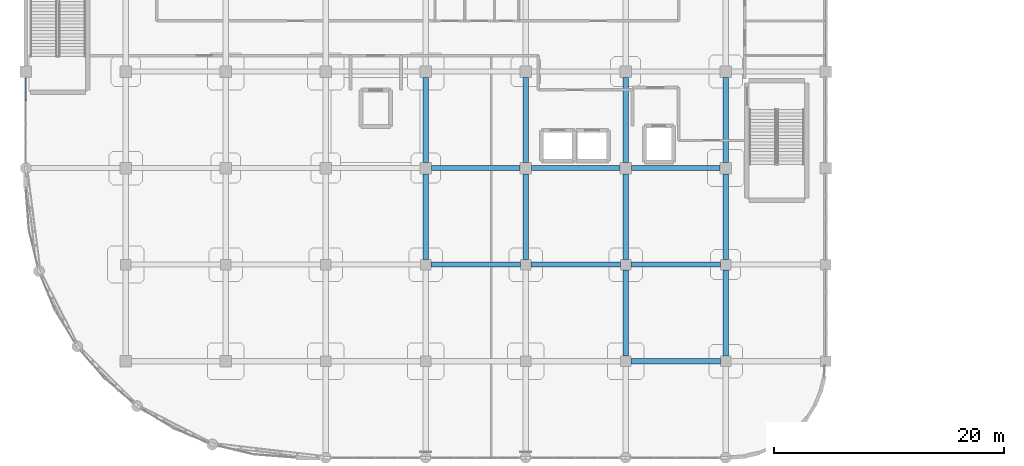
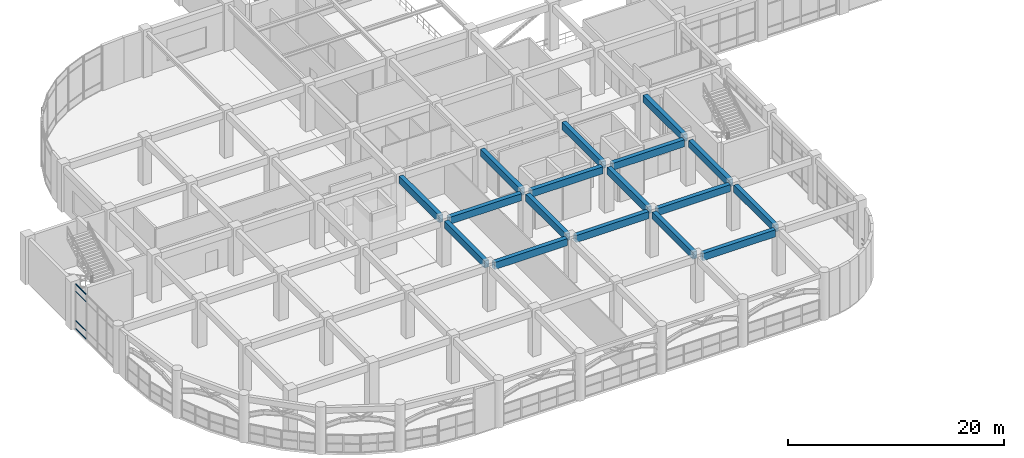
# One storey, part 16 of 114: 17 beams, 4 members, 1 element without a shape of its own.
"""IFC4 building model written with IfcOpenShell, lengths in metres."""

from ifc_helpers import new_model, si_unit, derived_unit, direction, frame, origin, origin_2d, place, context, subcontext, project, spatial, rectangle, hollow_rectangle, extrude, material, layer, layer_set, material_profile, profile_set, type_object, element, aggregate, save


model = new_model("IFC4")

# Units and contexts
model_context = context("Model", 3, precision=1e-05, world=origin(), true_north=direction((0.0, 1.0)))
body_context = subcontext(model_context, "Body", "Model", "MODEL_VIEW")
ifc_project = project(units=[si_unit("LENGTHUNIT", "METRE"), si_unit("AREAUNIT", "SQUARE_METRE"), si_unit("VOLUMEUNIT", "CUBIC_METRE"), si_unit("PLANEANGLEUNIT", "RADIAN"), si_unit("MASSUNIT", "GRAM", prefix="KILO"), derived_unit("THERMALTRANSMITTANCEUNIT", [(si_unit("MASSUNIT", "GRAM", prefix="KILO"), 1), (si_unit("TIMEUNIT", "SECOND"), -3), (si_unit("THERMODYNAMICTEMPERATUREUNIT", "KELVIN"), -1)])], contexts=[model_context])

# Site, building, storey
site_placement = place(None, origin())
site = spatial("IfcSite", under=ifc_project, at=site_placement, CompositionType="ELEMENT")
building_placement = place(site_placement, origin())
building = spatial("IfcBuilding", under=site, at=building_placement, Name="Qinzheling Arcade Emporium", CompositionType="ELEMENT")
storey_placement = place(building_placement, frame((0.0, 0.0, 6.0)))
storey = spatial("IfcBuildingStorey", under=building, at=storey_placement, Name="L02", CompositionType="ELEMENT", Elevation=6.0)

# Curtain wall, members
ifc_material_1 = material(Name="Anodised aluminium and solar-control double glazing", Category="aluminium")
ifc_layer = layer(ifc_material_1, 0.159912109375, Name="Anodised aluminium and solar-control double glazing", Category="aluminium")
ifc_layer_set = layer_set([ifc_layer], Name="Anodised aluminium and solar-control double glazing")
curtain_wall_type = type_object("IfcCurtainWallType", Name="Arcade Portal Glazed Curtain Wall", PredefinedType="NOTDEFINED", material=ifc_layer_set)
curtain_wall_placement = place(storey_placement, origin())
curtain_wall = element("IfcCurtainWall", 1, at=curtain_wall_placement, inside=storey, type_object=curtain_wall_type, Name="Curtain Wall CW-L02-084", PredefinedType="NOTDEFINED")
ifc_material_2 = material(Name="Anodised aluminium 6063-T6", Category="aluminium")
ifc_material_profile_1 = material_profile(ifc_material_2, hollow_rectangle(XDim=0.06005859375, YDim=0.1201171875, WallThickness=0.00390625, InnerFilletRadius=0.00390625, OuterFilletRadius=0.008056640625, at=origin_2d()), Name="RHS 120x60x4", Category="aluminium")
ifc_profile_set_1 = profile_set([ifc_material_profile_1], Name="Anodised aluminium 6063-T6")
member_type = type_object("IfcMemberType", Name="Curtain Wall Transom RHS120x60", PredefinedType="USERDEFINED", material=ifc_profile_set_1)
member_1_placement = place(storey_placement, frame((0.0, 31.0791015625, 0.030029296875), z_axis=(0.0, 1.0, 0.0), x_axis=(-1.0, 0.0, 0.0)))
member_1 = element("IfcMember", 2, at=member_1_placement, type_object=member_type, Name="CW05 transom 2.1", ObjectType="TRANSOM", PredefinedType="USERDEFINED", context=body_context, shape_type="SweptSolid", body=[
    extrude(hollow_rectangle(XDim=0.06005859375, YDim=0.1201171875, WallThickness=0.00390625, InnerFilletRadius=0.00390625, OuterFilletRadius=0.008056640625, at=origin_2d()), origin(), (0.0, 0.0, 1.0), 1.958984375),
])
member_2_placement = place(storey_placement, frame((0.0, 31.0791015625, 0.949951171875), z_axis=(0.0, 1.0, 0.0), x_axis=(-1.0, 0.0, 0.0)))
member_2 = element("IfcMember", 3, at=member_2_placement, type_object=member_type, Name="CW05 transom 2.2", ObjectType="TRANSOM", PredefinedType="USERDEFINED", context=body_context, shape_type="SweptSolid", body=[
    extrude(hollow_rectangle(XDim=0.06005859375, YDim=0.1201171875, WallThickness=0.00390625, InnerFilletRadius=0.00390625, OuterFilletRadius=0.008056640625, at=origin_2d()), origin(), (0.0, 0.0, 1.0), 1.958984375),
])
member_3_placement = place(storey_placement, frame((0.0, 31.0791015625, 4.239990234375), z_axis=(0.0, 1.0, 0.0), x_axis=(-1.0, 0.0, 0.0)))
member_3 = element("IfcMember", 4, at=member_3_placement, type_object=member_type, Name="CW05 transom 2.3", ObjectType="TRANSOM", PredefinedType="USERDEFINED", context=body_context, shape_type="SweptSolid", body=[
    extrude(hollow_rectangle(XDim=0.06005859375, YDim=0.1201171875, WallThickness=0.00390625, InnerFilletRadius=0.00390625, OuterFilletRadius=0.008056640625, at=origin_2d()), origin(), (0.0, 0.0, 1.0), 1.958984375),
])
member_4_placement = place(storey_placement, frame((0.0, 31.0791015625, 5.06005859375), z_axis=(0.0, 1.0, 0.0), x_axis=(-1.0, 0.0, 0.0)))
member_4 = element("IfcMember", 5, at=member_4_placement, type_object=member_type, Name="CW05 transom 2.4", ObjectType="TRANSOM", PredefinedType="USERDEFINED", context=body_context, shape_type="SweptSolid", body=[
    extrude(hollow_rectangle(XDim=0.06005859375, YDim=0.1201171875, WallThickness=0.00390625, InnerFilletRadius=0.00390625, OuterFilletRadius=0.008056640625, at=origin_2d()), origin(), (0.0, 0.0, 1.0), 1.958984375),
])
aggregate(curtain_wall, [member_1, member_2, member_3, member_4])

# Beams
ifc_material_3 = material(Name="Concrete C40", Category="concrete")
ifc_material_profile_2 = material_profile(ifc_material_3, rectangle(XDim=0.449951171875, YDim=0.800048828125, at=origin_2d()), Name="RC 450x800", Category="concrete")
ifc_profile_set_2 = profile_set([ifc_material_profile_2], Name="Concrete C40")
beam_type = type_object("IfcBeamType", Name="RC Primary Frame Beam 450x800 C40", PredefinedType="BEAM", material=ifc_profile_set_2)
for number, where, z_axis, x_axis, name in (
    (6, (52.64990234375, 8.39990234375, 4.719970703125), (1.0, 0.0, 0.0), (0.0, 1.0, 0.0), "Beam BM-L02-X-B-7"),
    (7, (35.25, 16.800048828125, 4.719970703125), (1.0, 0.0, 0.0), (0.0, 1.0, 0.0), "Beam BM-L02-X-C-5"),
    (8, (43.949951171875, 16.800048828125, 4.719970703125), (1.0, 0.0, 0.0), (0.0, 1.0, 0.0), "Beam BM-L02-X-C-6"),
    (9, (52.64990234375, 16.800048828125, 4.719970703125), (1.0, 0.0, 0.0), (0.0, 1.0, 0.0), "Beam BM-L02-X-C-7"),
):
    element("IfcBeam", number, at=place(storey_placement, frame(where, z_axis=z_axis, x_axis=x_axis)), inside=storey, type_object=beam_type, Name=name, PredefinedType="BEAM", context=body_context, shape_type="SweptSolid", body=[
        extrude(rectangle(XDim=0.449951171875, YDim=0.800048828125, at=origin_2d()), origin(), (0.0, 0.0, 1.0), 7.800048828125),
    ])
for number, where, z_axis, x_axis, name in (
    (10, (35.300048828125, 25.199951171875, 4.719970703125), (1.0, 0.0, 0.0), (0.0, 1.0, 0.0), "Beam BM-L02-X-D-5"),
    (11, (44.0, 25.199951171875, 4.719970703125), (1.0, 0.0, 0.0), (0.0, 1.0, 0.0), "Beam BM-L02-X-D-6"),
    (12, (52.699951171875, 25.199951171875, 4.719970703125), (1.0, 0.0, 0.0), (0.0, 1.0, 0.0), "Beam BM-L02-X-D-7"),
):
    element("IfcBeam", number, at=place(storey_placement, frame(where, z_axis=z_axis, x_axis=x_axis)), inside=storey, type_object=beam_type, Name=name, PredefinedType="BEAM", context=body_context, shape_type="SweptSolid", body=[
        extrude(rectangle(XDim=0.449951171875, YDim=0.800048828125, at=origin_2d()), origin(), (0.0, 0.0, 1.0), 7.699951171875),
    ])
beam_1_placement = place(storey_placement, frame((34.800048828125, 17.25, 4.719970703125), z_axis=(0.0, 1.0, 0.0), x_axis=(-1.0, 0.0, 0.0)))
element("IfcBeam", 13, at=beam_1_placement, inside=storey, type_object=beam_type, Name="Beam BM-L02-Y-5-C", PredefinedType="BEAM", context=body_context, shape_type="SweptSolid", body=[
    extrude(rectangle(XDim=0.449951171875, YDim=0.800048828125, at=origin_2d()), origin(), (0.0, 0.0, 1.0), 7.449951171875),
])
beam_2_placement = place(storey_placement, frame((34.800048828125, 25.699951171875, 4.719970703125), z_axis=(0.0, 1.0, 0.0), x_axis=(-1.0, 0.0, 0.0)))
element("IfcBeam", 14, at=beam_2_placement, inside=storey, type_object=beam_type, Name="Beam BM-L02-Y-5-D", PredefinedType="BEAM", context=body_context, shape_type="SweptSolid", body=[
    extrude(rectangle(XDim=0.449951171875, YDim=0.800048828125, at=origin_2d()), origin(), (0.0, 0.0, 1.0), 7.400146484375),
])
beam_3_placement = place(storey_placement, frame((43.5, 17.25, 4.719970703125), z_axis=(0.0, 1.0, 0.0), x_axis=(-1.0, 0.0, 0.0)))
element("IfcBeam", 15, at=beam_3_placement, inside=storey, type_object=beam_type, Name="Beam BM-L02-Y-6-C", PredefinedType="BEAM", context=body_context, shape_type="SweptSolid", body=[
    extrude(rectangle(XDim=0.449951171875, YDim=0.800048828125, at=origin_2d()), origin(), (0.0, 0.0, 1.0), 7.449951171875),
])
beam_4_placement = place(storey_placement, frame((43.5, 25.699951171875, 4.719970703125), z_axis=(0.0, 1.0, 0.0), x_axis=(-1.0, 0.0, 0.0)))
element("IfcBeam", 16, at=beam_4_placement, inside=storey, type_object=beam_type, Name="Beam BM-L02-Y-6-D", PredefinedType="BEAM", context=body_context, shape_type="SweptSolid", body=[
    extrude(rectangle(XDim=0.449951171875, YDim=0.800048828125, at=origin_2d()), origin(), (0.0, 0.0, 1.0), 7.400146484375),
])
beam_5_placement = place(storey_placement, frame((52.199951171875, 8.85009765625, 4.719970703125), z_axis=(0.0, 1.0, 0.0), x_axis=(-1.0, 0.0, 0.0)))
element("IfcBeam", 17, at=beam_5_placement, inside=storey, type_object=beam_type, Name="Beam BM-L02-Y-7-B", PredefinedType="BEAM", context=body_context, shape_type="SweptSolid", body=[
    extrude(rectangle(XDim=0.449951171875, YDim=0.800048828125, at=origin_2d()), origin(), (0.0, 0.0, 1.0), 7.5),
])
beam_6_placement = place(storey_placement, frame((52.199951171875, 17.25, 4.719970703125), z_axis=(0.0, 1.0, 0.0), x_axis=(-1.0, 0.0, 0.0)))
element("IfcBeam", 18, at=beam_6_placement, inside=storey, type_object=beam_type, Name="Beam BM-L02-Y-7-C", PredefinedType="BEAM", context=body_context, shape_type="SweptSolid", body=[
    extrude(rectangle(XDim=0.449951171875, YDim=0.800048828125, at=origin_2d()), origin(), (0.0, 0.0, 1.0), 7.449951171875),
])
beam_7_placement = place(storey_placement, frame((52.199951171875, 25.699951171875, 4.719970703125), z_axis=(0.0, 1.0, 0.0), x_axis=(-1.0, 0.0, 0.0)))
element("IfcBeam", 19, at=beam_7_placement, inside=storey, type_object=beam_type, Name="Beam BM-L02-Y-7-D", PredefinedType="BEAM", context=body_context, shape_type="SweptSolid", body=[
    extrude(rectangle(XDim=0.449951171875, YDim=0.800048828125, at=origin_2d()), origin(), (0.0, 0.0, 1.0), 7.400146484375),
])
beam_8_placement = place(storey_placement, frame((60.89990234375, 8.85009765625, 4.719970703125), z_axis=(0.0, 1.0, 0.0), x_axis=(-1.0, 0.0, 0.0)))
element("IfcBeam", 20, at=beam_8_placement, inside=storey, type_object=beam_type, Name="Beam BM-L02-Y-8-B", PredefinedType="BEAM", context=body_context, shape_type="SweptSolid", body=[
    extrude(rectangle(XDim=0.449951171875, YDim=0.800048828125, at=origin_2d()), origin(), (0.0, 0.0, 1.0), 7.5),
])
beam_9_placement = place(storey_placement, frame((60.89990234375, 17.25, 4.719970703125), z_axis=(0.0, 1.0, 0.0), x_axis=(-1.0, 0.0, 0.0)))
element("IfcBeam", 21, at=beam_9_placement, inside=storey, type_object=beam_type, Name="Beam BM-L02-Y-8-C", PredefinedType="BEAM", context=body_context, shape_type="SweptSolid", body=[
    extrude(rectangle(XDim=0.449951171875, YDim=0.800048828125, at=origin_2d()), origin(), (0.0, 0.0, 1.0), 7.449951171875),
])
beam_10_placement = place(storey_placement, frame((60.89990234375, 25.699951171875, 4.719970703125), z_axis=(0.0, 1.0, 0.0), x_axis=(-1.0, 0.0, 0.0)))
element("IfcBeam", 22, at=beam_10_placement, inside=storey, type_object=beam_type, Name="Beam BM-L02-Y-8-D", PredefinedType="BEAM", context=body_context, shape_type="SweptSolid", body=[
    extrude(rectangle(XDim=0.449951171875, YDim=0.800048828125, at=origin_2d()), origin(), (0.0, 0.0, 1.0), 7.400146484375),
])

save(model, "model.ifc")
